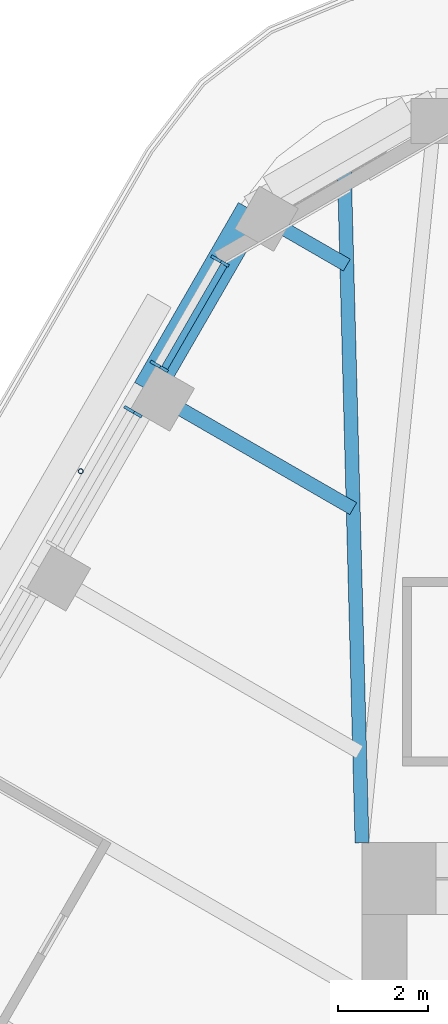
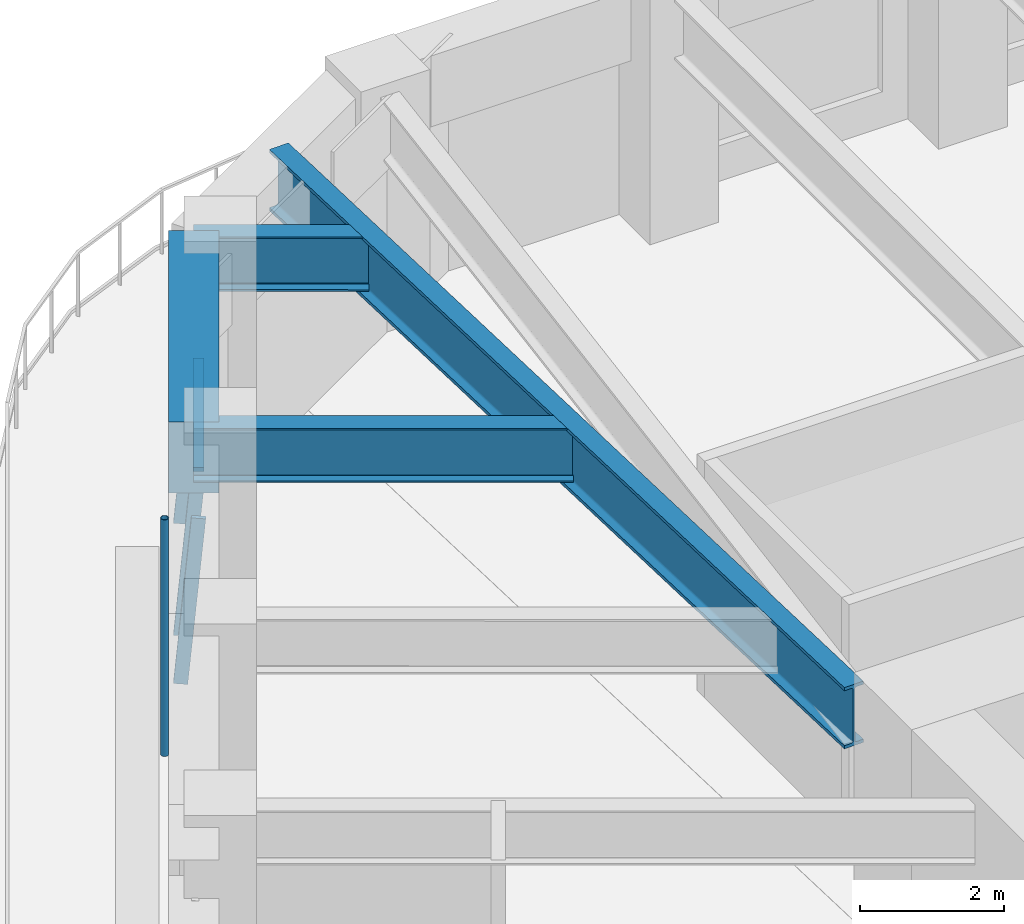
# One storey, part 8 of 20: 5 members, 4 beams, 2 elements without a shape of their own.
"""IFC4 building model written with IfcOpenShell, lengths in metres."""

import ifcopenshell
import ifcopenshell.guid

model = None  # the IFC model being written
_history = None  # IfcOwnerHistory: only IFC2X3 demands one
_inside = {}  # id of a spatial element -> (the spatial element, [elements in it])
_under = {}  # id of a project, library or spatial element -> (it, [spatial elements below it])
_declared = {}  # id of a project -> (the project, [libraries it declares])
_typed = {}  # id of a type object -> (the type object, [elements of that type])
_made_of = {}  # id of a material, layer set ... -> (it, [elements and type objects made of it])


def new_model(schema):
    """Start an empty IFC model of exactly this schema.

    Asked for "IFC4X3", IfcOpenShell would pick the latest addendum, in which some entities
    have other attributes; the version numbers below select the first issue.
    IFC2X3 requires an IfcOwnerHistory on every rooted entity: one is made here for all.
    """
    global model, _history
    if schema == "IFC4X3":
        model = ifcopenshell.file(schema_version=(4, 3, 0, 0))
    else:
        model = ifcopenshell.file(schema=schema)
    _inside.clear()
    _under.clear()
    _declared.clear()
    _typed.clear()
    _made_of.clear()
    _history = None
    if model.schema == "IFC2X3":
        org = make("IfcOrganization", Name="unknown")
        user = make(
            "IfcPersonAndOrganization",
            ThePerson=make("IfcPerson", FamilyName="unknown"),
            TheOrganization=org,
        )
        app = make(
            "IfcApplication",
            ApplicationDeveloper=org,
            Version="unknown",
            ApplicationFullName="unknown",
            ApplicationIdentifier="unknown",
        )
        _history = make(
            "IfcOwnerHistory",
            OwningUser=user,
            OwningApplication=app,
            ChangeAction="ADDED",
            CreationDate=0,
        )
    return model


def make(cls, **values):
    """One entity of the class cls with the attributes given. An attribute that is None is left unset."""
    return model.create_entity(
        cls, **{name: value for name, value in values.items() if value is not None}
    )


def rooted(cls, **values):
    """An entity with a GlobalId (a new one), such as an element, a storey or a relation."""
    return make(cls, GlobalId=ifcopenshell.guid.new(), OwnerHistory=_history, **values)


def si_unit(unit_type, name, prefix=None):
    """IfcSIUnit, for example si_unit("LENGTHUNIT", "METRE", prefix="MILLI")."""
    return make("IfcSIUnit", UnitType=unit_type, Prefix=prefix, Name=name)


def assignment(units):
    """IfcUnitAssignment: the units of a project."""
    return None if units is None else make("IfcUnitAssignment", Units=units)


def point(xyz):
    """IfcCartesianPoint."""
    return None if xyz is None else make("IfcCartesianPoint", Coordinates=xyz)


def direction(xyz):
    """IfcDirection."""
    return None if xyz is None else make("IfcDirection", DirectionRatios=xyz)


def frame(location, z_axis=None, x_axis=None):
    """IfcAxis2Placement3D, a coordinate frame: its origin and axes. An axis left out is left unset."""
    return make(
        "IfcAxis2Placement3D",
        Location=point(location),
        Axis=direction(z_axis),
        RefDirection=direction(x_axis),
    )


def frame_2d(location, x_axis=None):
    """IfcAxis2Placement2D, a coordinate frame in the plane: its origin and x axis."""
    return make(
        "IfcAxis2Placement2D", Location=point(location), RefDirection=direction(x_axis)
    )


def origin():
    """The frame at (0, 0, 0) with its axes left unset."""
    return frame((0.0, 0.0, 0.0))


def origin_2d():
    """The frame at (0, 0) in the plane with its x axis left unset."""
    return frame_2d((0.0, 0.0))


def place(relative_to, where):
    """IfcLocalPlacement: puts the frame where relative to a parent placement (None: the world)."""
    return make(
        "IfcLocalPlacement", PlacementRelTo=relative_to, RelativePlacement=where
    )


def context(
    kind, dimensions, precision=None, world=None, true_north=None, identifier=None
):
    """IfcGeometricRepresentationContext, for example the 3D "Model" context."""
    return make(
        "IfcGeometricRepresentationContext",
        ContextIdentifier=identifier,
        ContextType=kind,
        CoordinateSpaceDimension=dimensions,
        Precision=precision,
        WorldCoordinateSystem=world,
        TrueNorth=true_north,
    )


def subcontext(parent, identifier, kind, view, scale=None):
    """IfcGeometricRepresentationSubContext, for example "Body" below "Model"."""
    return make(
        "IfcGeometricRepresentationSubContext",
        ContextIdentifier=identifier,
        ContextType=kind,
        ParentContext=parent,
        TargetScale=scale,
        TargetView=view,
    )


def project(units=None, contexts=None):
    """IfcProject with its units and contexts."""
    return rooted(
        "IfcProject",
        Name="project",
        RepresentationContexts=contexts,
        UnitsInContext=assignment(units),
    )


def spatial(cls, under=None, at=None, **own):
    """A site, building, storey or space (cls), placed at a placement, below another one or the project."""
    s = rooted(cls, ObjectPlacement=at, **own)
    if under is not None:
        _under.setdefault(under.id(), (under, []))[1].append(s)
    return s


def profile(cls, at=None, kind="AREA", **sizes):
    """A parametric profile (cls). Its sizes go by their IFC names, for example OverallWidth=200.0."""
    return make(cls, ProfileType=kind, Position=at, **sizes)


def rectangle(**sizes):
    """IfcRectangleProfileDef."""
    return profile("IfcRectangleProfileDef", **sizes)


def hollow_circle(**sizes):
    """IfcCircleHollowProfileDef."""
    return profile("IfcCircleHollowProfileDef", **sizes)


def i_section(**sizes):
    """IfcIShapeProfileDef."""
    return profile("IfcIShapeProfileDef", **sizes)


def extrude(swept, where, along, depth):
    """IfcExtrudedAreaSolid: the profile swept, set in the frame where, extruded along a direction by depth."""
    return make(
        "IfcExtrudedAreaSolid",
        SweptArea=swept,
        Position=where,
        ExtrudedDirection=direction(along),
        Depth=depth,
    )


def shape(context_of_items, identifier, shape_type, items):
    """IfcShapeRepresentation: the items that make up one representation, for example the "Body"."""
    return make(
        "IfcShapeRepresentation",
        ContextOfItems=context_of_items,
        RepresentationIdentifier=identifier,
        RepresentationType=shape_type,
        Items=items,
    )


def material(Name=None, Category=None):
    """IfcMaterial."""
    return make("IfcMaterial", Name=Name, Category=Category)


def material_profile(
    of_material, cross_section, Name=None, Category=None, Priority=None
):
    """IfcMaterialProfile: a cross section and its material."""
    return make(
        "IfcMaterialProfile",
        Name=Name,
        Material=of_material,
        Profile=cross_section,
        Priority=Priority,
        Category=Category,
    )


def profile_set(profiles, Name=None, composite=None):
    """IfcMaterialProfileSet."""
    return make(
        "IfcMaterialProfileSet",
        Name=Name,
        MaterialProfiles=profiles,
        CompositeProfile=composite,
    )


def made_of(thing, what):
    """Note that an element or type object is made of a material, layer set ...; save() writes the relation."""
    if what is not None:
        _made_of.setdefault(what.id(), (what, []))[1].append(thing)
    return thing


def type_object(cls, material=None, **own):
    """A type object (cls), such as IfcWallType, which elements share."""
    return made_of(rooted(cls, **own), material)


def element(
    cls,
    number,
    at=None,
    inside=None,
    cuts=None,
    type_object=None,
    material=None,
    context=None,
    identifier="Body",
    shape_type=None,
    held_by="IfcProductDefinitionShape",
    body=None,
    shapes=None,
    **own,
):
    """One element of the class cls, such as IfcWall. Its Tag is "e" and its number.

    at: its placement. inside: the storey or other place that contains it. cuts: it is an
    opening in that element (IfcRelVoidsElement). A single representation is given by context,
    identifier, shape_type and body (its items); several are given by shapes. held_by: the class
    of the entity that holds the representations. save() writes the other relations.
    """
    e = rooted(cls, Tag="e%d" % number, ObjectPlacement=at, **own)
    if body is not None:
        shapes = [shape(context, identifier, shape_type, body)]
    if shapes is not None:
        e.Representation = make(held_by, Representations=shapes)
    if inside is not None:
        _inside.setdefault(inside.id(), (inside, []))[1].append(e)
    if cuts is not None:
        rooted(
            "IfcRelVoidsElement", RelatingBuildingElement=cuts, RelatedOpeningElement=e
        )
    if type_object is not None:
        _typed.setdefault(type_object.id(), (type_object, []))[1].append(e)
    return made_of(e, material)


def aggregate(whole, parts):
    """IfcRelAggregates: a whole, such as a stair, and the parts it consists of."""
    return rooted("IfcRelAggregates", RelatingObject=whole, RelatedObjects=parts)


def save(model, path):
    """Write the relations noted so far, then the file.

    IfcRelAggregates (storeys below a building ...), IfcRelContainedInSpatialStructure (elements
    in a storey), IfcRelDefinesByType, IfcRelAssociatesMaterial and IfcRelDeclares: one each for
    every whole, place, type object, material and project.
    """
    for whole, parts in _under.values():
        aggregate(whole, parts)
    for where, things in _inside.values():
        rooted(
            "IfcRelContainedInSpatialStructure",
            RelatedElements=things,
            RelatingStructure=where,
        )
    for kind, things in _typed.values():
        rooted("IfcRelDefinesByType", RelatedObjects=things, RelatingType=kind)
    for what, things in _made_of.values():
        rooted("IfcRelAssociatesMaterial", RelatedObjects=things, RelatingMaterial=what)
    for by, libraries in _declared.values():
        rooted("IfcRelDeclares", RelatingContext=by, RelatedDefinitions=libraries)
    model.write(path)


model = new_model("IFC4")

# Units and contexts
model_context = context("Model", 3, precision=1e-05, world=origin(), true_north=direction((0.0, 1.0)))
body_context = subcontext(model_context, "Body", "Model", "MODEL_VIEW")
ifc_project = project(units=[si_unit("LENGTHUNIT", "METRE"), si_unit("AREAUNIT", "SQUARE_METRE"), si_unit("VOLUMEUNIT", "CUBIC_METRE"), si_unit("PLANEANGLEUNIT", "RADIAN"), si_unit("MASSUNIT", "GRAM", prefix="KILO")], contexts=[model_context])

# Site, building, storey
site_placement = place(None, origin())
site = spatial("IfcSite", under=ifc_project, at=site_placement, CompositionType="ELEMENT")
building_placement = place(site_placement, origin())
building = spatial("IfcBuilding", under=site, at=building_placement, Name="Tarfa Lantern Tower", CompositionType="ELEMENT")
storey_placement = place(building_placement, frame((0.0, 0.0, 282.699951171875)))
storey = spatial("IfcBuildingStorey", under=building, at=storey_placement, Name="L64", CompositionType="ELEMENT", Elevation=282.699951171875)

# Curtain wall, members
ifc_material_1 = material(Name="Aluminium framed curtain wall", Category="aluminium")
curtain_wall_type = type_object("IfcCurtainWallType", Name="CW3 CANTED GLAZING HIGH ZONE 2800", PredefinedType="USERDEFINED", material=ifc_material_1)
curtain_wall_1_placement = place(storey_placement, origin())
curtain_wall_1 = element("IfcCurtainWall", 1, at=curtain_wall_1_placement, inside=storey, type_object=curtain_wall_type, Name="CW3 NW L64", ObjectType="CURTAIN WALL", PredefinedType="USERDEFINED")
ifc_material_2 = material(Name="Aluminium mullion", Category="aluminium")
ifc_material_profile_1 = material_profile(ifc_material_2, rectangle(XDim=0.06494140625, YDim=0.199951171875, at=origin_2d()), Name="AL MULLION 65x200")
ifc_profile_set_1 = profile_set([ifc_material_profile_1], Name="Aluminium mullion")
member_type_1 = type_object("IfcMemberType", Name="CWM1 MULLION 65x200", PredefinedType="MULLION", material=ifc_profile_set_1)
member_1_placement = place(storey_placement, frame((-18.76611328125, 25.296142578125, 0.0), z_axis=(0.077032386753, -0.044465143199, 0.996036576854), x_axis=(0.499919672301, 0.866071776036, 0.0)))
member_1 = element("IfcMember", 2, at=member_1_placement, type_object=member_type_1, Name="CW3 mullion 1", PredefinedType="MULLION", context=body_context, shape_type="SweptSolid", body=[
    extrude(rectangle(XDim=0.06494140625, YDim=0.199951171875, at=origin_2d()), origin(), (0.0, 0.0, 1.0), 2.811279296875),
])
member_2_placement = place(storey_placement, frame((-20.1181640625, 22.954345703125, 0.0), z_axis=(0.077032386753, -0.044465143199, 0.996036576854), x_axis=(0.499919672301, 0.866071776036, 0.0)))
member_2 = element("IfcMember", 3, at=member_2_placement, type_object=member_type_1, Name="CW3 mullion 2", PredefinedType="MULLION", context=body_context, shape_type="SweptSolid", body=[
    extrude(rectangle(XDim=0.06494140625, YDim=0.199951171875, at=origin_2d()), origin(), (0.0, 0.0, 1.0), 2.811279296875),
])

# Curtain wall, member
curtain_wall_2_placement = place(storey_placement, origin())
curtain_wall_2 = element("IfcCurtainWall", 4, at=curtain_wall_2_placement, inside=storey, type_object=curtain_wall_type, Name="CW3 NW L64", ObjectType="CURTAIN WALL", PredefinedType="USERDEFINED")
member_3_placement = place(storey_placement, frame((-20.70068359375, 21.945556640625, 0.0), z_axis=(0.077032386753, -0.044465143199, 0.996036576854), x_axis=(0.499919672301, 0.866071776036, 0.0)))
member_3 = element("IfcMember", 5, at=member_3_placement, type_object=member_type_1, Name="CW3 mullion 1", PredefinedType="MULLION", context=body_context, shape_type="SweptSolid", body=[
    extrude(rectangle(XDim=0.06494140625, YDim=0.199951171875, at=origin_2d()), origin(), (0.0, 0.0, 1.0), 2.811279296875),
])
aggregate(curtain_wall_2, [member_3])

# Member
ifc_material_3 = material(Name="Aluminium transom", Category="aluminium")
ifc_material_profile_2 = material_profile(ifc_material_3, rectangle(XDim=0.14990234375, YDim=0.06494140625, at=origin_2d()), Name="AL TRANSOM 150x65")
ifc_profile_set_2 = profile_set([ifc_material_profile_2], Name="Aluminium transom")
member_type_2 = type_object("IfcMemberType", Name="CWT1 TRANSOM 150x65", PredefinedType="USERDEFINED", material=ifc_profile_set_2)
member_4_placement = place(storey_placement, frame((-18.568359375, 25.144287109375, 2.767578125), z_axis=(-0.50006949096, -0.865985279442, 0.0), x_axis=(0.865985279442, -0.50006949096, 0.0)))
member_4 = element("IfcMember", 6, at=member_4_placement, type_object=member_type_2, Name="CW3 transom 1.2", ObjectType="TRANSOM", PredefinedType="USERDEFINED", context=body_context, shape_type="SweptSolid", body=[
    extrude(rectangle(XDim=0.14990234375, YDim=0.06494140625, at=origin_2d()), origin(), (0.0, 0.0, 1.0), 2.638671875),
])

aggregate(curtain_wall_1, [member_1, member_2, member_4])

# Beam
ifc_material_4 = material(Name="Concrete C80/95", Category="concrete")
ifc_material_profile_3 = material_profile(ifc_material_4, rectangle(XDim=0.699951171875, YDim=1.199951171875, at=origin_2d()), Name="RC 700x1200")
ifc_profile_set_3 = profile_set([ifc_material_profile_3], Name="Concrete C80/95")
beam_type_1 = type_object("IfcBeamType", Name="EB3 RC 700x1200", PredefinedType="SPANDREL", material=ifc_profile_set_3)
beam_1_placement = place(storey_placement, frame((-17.944091796875, 26.360107421875, 3.400146484375), z_axis=(-0.499987836815, -0.866032426089, 0.0), x_axis=(0.866032426089, -0.499987836815, 0.0)))
element("IfcBeam", 7, at=beam_1_placement, inside=storey, type_object=beam_type_1, Name="Edge beam NW0", PredefinedType="SPANDREL", context=body_context, shape_type="SweptSolid", body=[
    extrude(rectangle(XDim=0.699951171875, YDim=1.199951171875, at=origin_2d()), origin(), (0.0, 0.0, 1.0), 4.61865234375),
])

# Member
ifc_material_5 = material(Name="Steel S355", Category="steel")
ifc_material_profile_4 = material_profile(ifc_material_5, hollow_circle(Radius=0.05712890625, WallThickness=0.00634765625, at=origin_2d()), Name="CHS114.3x6.3")
ifc_profile_set_4 = profile_set([ifc_material_profile_4], Name="Steel S355")
member_type_3 = type_object("IfcMemberType", Name="TR1 GREEN WALL TRELLIS CHS114.3x6.3", PredefinedType="USERDEFINED", material=ifc_profile_set_4)
member_5_placement = place(storey_placement, frame((-21.754638671875, 20.56005859375, 0.0), z_axis=(0.0, 0.0, 1.0), x_axis=(1.0, 0.0, 0.0)))
element("IfcMember", 8, at=member_5_placement, inside=storey, type_object=member_type_3, Name="Trellis post NW 1", ObjectType="TRELLIS", PredefinedType="USERDEFINED", context=body_context, shape_type="SweptSolid", body=[
    extrude(hollow_circle(Radius=0.05712890625, WallThickness=0.00634765625, at=origin_2d()), origin(), (0.0, 0.0, 1.0), 4.0),
])

# Beams
ifc_material_6 = material(Name="Steel S460M", Category="steel")
ifc_material_profile_5 = material_profile(ifc_material_6, i_section(OverallWidth=0.30859375, OverallDepth=1.036376953125, WebThickness=0.030029296875, FlangeThickness=0.05419921875, FilletRadius=0.030029296875, at=origin_2d()), Name="UB1016x305x487")
ifc_profile_set_5 = profile_set([ifc_material_profile_5], Name="Steel S460M")
beam_type_2 = type_object("IfcBeamType", Name="UB1016x305x487", PredefinedType="BEAM", material=ifc_profile_set_5)
beam_2_placement = place(storey_placement, frame((-15.5, 12.300048828125, 3.48193359375), z_axis=(-0.026247301989, 0.999655480222, 0.0), x_axis=(-0.999655480222, -0.026247301989, 0.0)))
element("IfcBeam", 9, at=beam_2_placement, inside=storey, type_object=beam_type_2, Name="Hip girder NW", PredefinedType="BEAM", context=body_context, shape_type="SweptSolid", body=[
    extrude(i_section(OverallWidth=0.30859375, OverallDepth=1.036376953125, WebThickness=0.030029296875, FlangeThickness=0.05419921875, FilletRadius=0.030029296875, at=origin_2d()), origin(), (0.0, 0.0, 1.0), 15.245361328125),
])
ifc_material_profile_6 = material_profile(ifc_material_6, i_section(OverallWidth=0.305419921875, OverallDepth=0.91845703125, WebThickness=0.017333984375, FlangeThickness=0.02783203125, FilletRadius=0.01904296875, at=origin_2d()), Name="UB914x305x253")
ifc_profile_set_6 = profile_set([ifc_material_profile_6], Name="Steel S460M")
beam_type_3 = type_object("IfcBeamType", Name="UB914x305x253", PredefinedType="BEAM", material=ifc_profile_set_6)
beam_3_placement = place(storey_placement, frame((-17.944091796875, 26.360107421875, 3.540771484375), z_axis=(0.865980009423, -0.5000786171, 0.0), x_axis=(0.5000786171, 0.865980009423, 0.0)))
element("IfcBeam", 10, at=beam_3_placement, inside=storey, type_object=beam_type_3, Name="Floor beam NW0", PredefinedType="BEAM", context=body_context, shape_type="SweptSolid", body=[
    extrude(i_section(OverallWidth=0.305419921875, OverallDepth=0.91845703125, WebThickness=0.017333984375, FlangeThickness=0.02783203125, FilletRadius=0.01904296875, at=origin_2d()), origin(), (0.0, 0.0, 1.0), 2.4326171875),
])
beam_4_placement = place(storey_placement, frame((-20.25341796875, 22.360107421875, 3.540771484375), z_axis=(0.86601951648, -0.500010196972, 0.0), x_axis=(0.500010196972, 0.86601951648, 0.0)))
element("IfcBeam", 11, at=beam_4_placement, inside=storey, type_object=beam_type_3, Name="Floor beam NW1", PredefinedType="BEAM", context=body_context, shape_type="SweptSolid", body=[
    extrude(i_section(OverallWidth=0.305419921875, OverallDepth=0.91845703125, WebThickness=0.017333984375, FlangeThickness=0.02783203125, FilletRadius=0.01904296875, at=origin_2d()), origin(), (0.0, 0.0, 1.0), 5.263671875),
])

save(model, "model.ifc")
